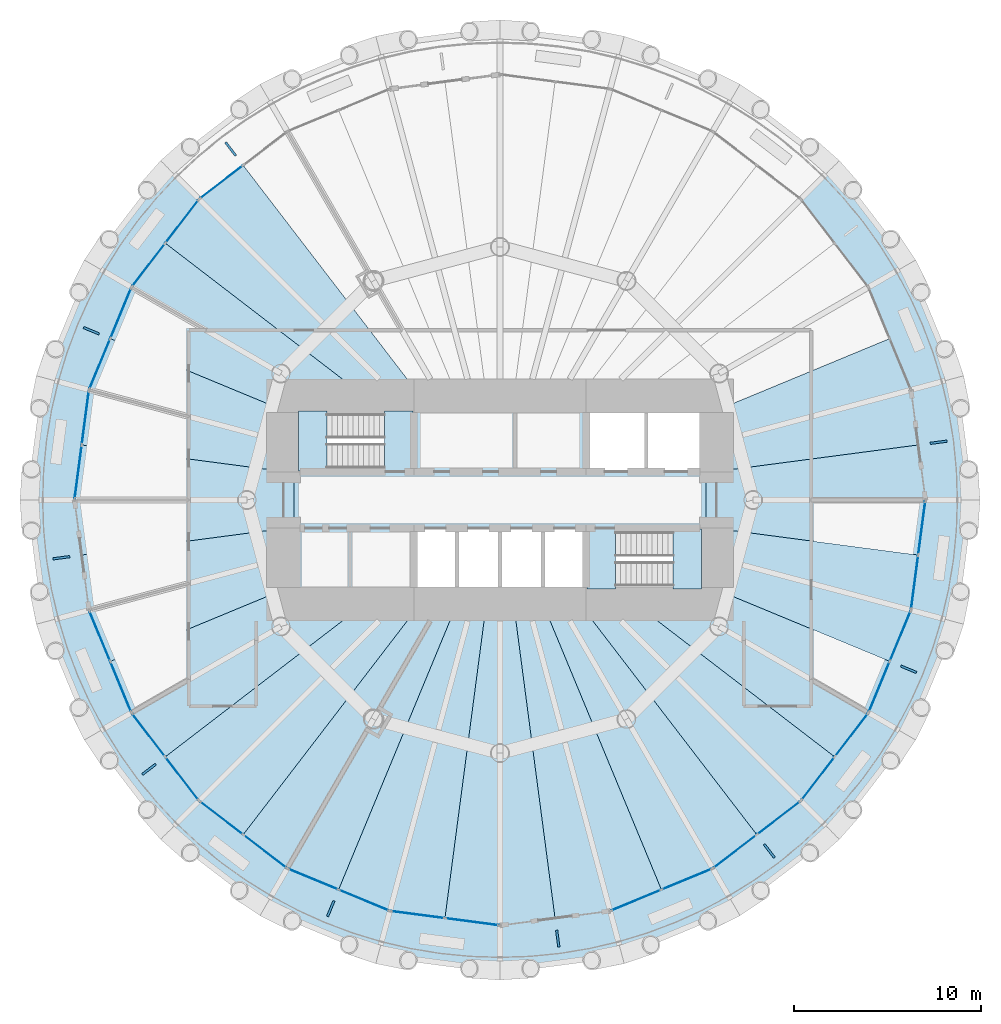
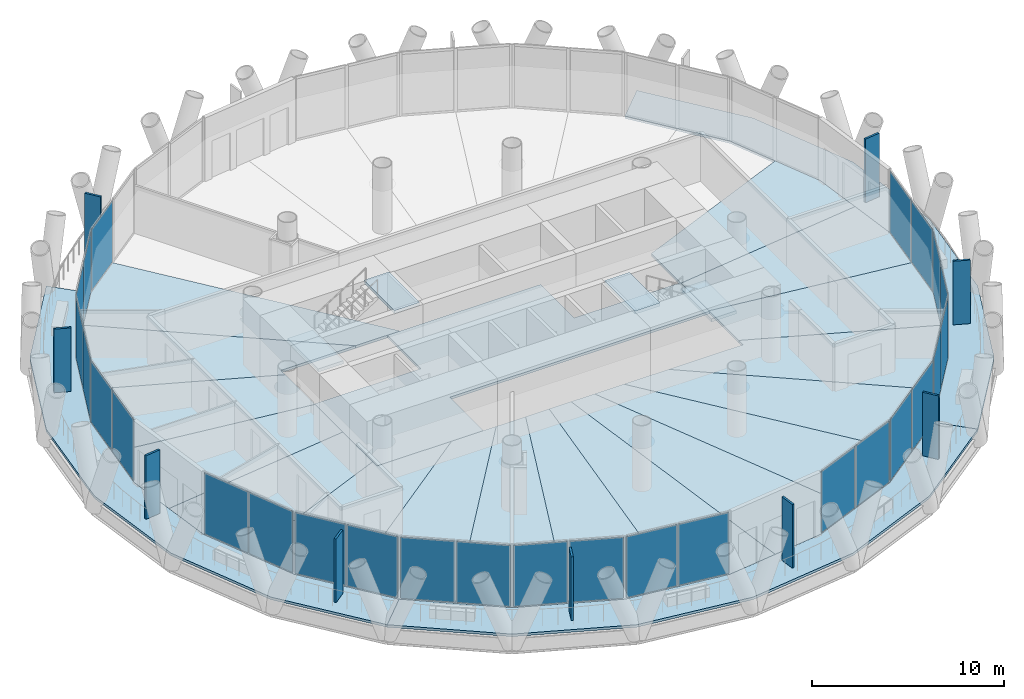
# One storey, part 7 of 14: 36 plates, 25 slabs, 16 elements without a shape of their own.
"""IFC4 building model written with IfcOpenShell, lengths in metres."""

from ifc_helpers import new_model, si_unit, direction, frame, origin, origin_2d, place, context, subcontext, project, spatial, polyline, rectangle, outline, extrude, material, layer, layer_set, type_object, element, aggregate, save


model = new_model("IFC4")

# Units and contexts
model_context = context("Model", 3, precision=1e-05, world=origin(), true_north=direction((0.0, 1.0)))
body_context = subcontext(model_context, "Body", "Model", "MODEL_VIEW")
ifc_project = project(units=[si_unit("LENGTHUNIT", "METRE"), si_unit("AREAUNIT", "SQUARE_METRE"), si_unit("VOLUMEUNIT", "CUBIC_METRE"), si_unit("PLANEANGLEUNIT", "RADIAN"), si_unit("MASSUNIT", "GRAM", prefix="KILO")], contexts=[model_context])

# Site, building, storey
site_placement = place(None, origin())
site = spatial("IfcSite", under=ifc_project, at=site_placement, CompositionType="ELEMENT")
building_placement = place(site_placement, origin())
building = spatial("IfcBuilding", under=site, at=building_placement, Name="Qaws Media Tower", CompositionType="ELEMENT")
storey_placement = place(building_placement, frame((0.0, 0.0, 126.800048828125)))
storey = spatial("IfcBuildingStorey", under=building, at=storey_placement, Name="L28", CompositionType="ELEMENT", Elevation=126.800048828125)

# Slabs
ifc_material_1 = material(Name="Concrete C35/45", Category="concrete")
ifc_layer_1 = layer(ifc_material_1, 0.159912109375)
ifc_layer_set_1 = layer_set([ifc_layer_1], Name="Composite balcony slab 160")
slab_type_1 = type_object("IfcSlabType", Name="Composite balcony slab 160", PredefinedType="FLOOR", material=ifc_layer_set_1)
slab_1_placement = place(storey_placement, frame((0.0, 0.0, -0.16015625)))
element("IfcSlab", 1, at=slab_1_placement, inside=storey, type_object=slab_type_1, Name="S2 balcony slab L28 R10 to R16, movement joints on R10 and R16", PredefinedType="FLOOR", context=body_context, shape_type="SweptSolid", body=[
    extrude(outline(polyline([(38.2626953125, 37.449951171875), (35.75537109375, 43.503662109375), (34.89990234375, 50.0), (35.75537109375, 56.496337890625), (38.2626953125, 62.550048828125), (42.251708984375, 67.748291015625), (43.94873046875, 66.05126953125), (40.34130859375, 61.35009765625), (38.073486328125, 55.875244140625), (37.300048828125, 50.0), (38.073486328125, 44.124755859375), (40.34130859375, 38.64990234375), (43.94873046875, 33.94873046875), (42.251708984375, 32.251708984375), (38.2626953125, 37.449951171875)])), origin(), (0.0, 0.0, 1.0), 0.16015625),
])
slab_2_placement = place(storey_placement, frame((0.0, 0.0, -0.16015625)))
element("IfcSlab", 2, at=slab_2_placement, inside=storey, type_object=slab_type_1, Name="S2 balcony slab L28 R16 to R22, movement joints on R16 and R22", PredefinedType="FLOOR", context=body_context, shape_type="SweptSolid", body=[
    extrude(outline(polyline([(72.550048828125, 28.2626953125), (66.496337890625, 25.75537109375), (60.0, 24.89990234375), (53.503662109375, 25.75537109375), (47.449951171875, 28.2626953125), (42.251708984375, 32.251708984375), (43.94873046875, 33.94873046875), (48.64990234375, 30.34130859375), (54.124755859375, 28.073486328125), (60.0, 27.300048828125), (65.875244140625, 28.073486328125), (71.35009765625, 30.34130859375), (76.05126953125, 33.94873046875), (77.748291015625, 32.251708984375), (72.550048828125, 28.2626953125)])), origin(), (0.0, 0.0, 1.0), 0.16015625),
])
slab_3_placement = place(storey_placement, frame((0.0, 0.0, -0.16015625)))
element("IfcSlab", 3, at=slab_3_placement, inside=storey, type_object=slab_type_1, Name="S2 balcony slab L28 R22 to R04, movement joints on R22 and R04", PredefinedType="FLOOR", context=body_context, shape_type="SweptSolid", body=[
    extrude(outline(polyline([(81.7373046875, 37.449951171875), (77.748291015625, 32.251708984375), (76.05126953125, 33.94873046875), (79.65869140625, 38.64990234375), (81.926513671875, 44.124755859375), (82.699951171875, 50.0), (81.926513671875, 55.875244140625), (79.65869140625, 61.35009765625), (76.05126953125, 66.05126953125), (77.748291015625, 67.748291015625), (81.7373046875, 62.550048828125), (84.24462890625, 56.496337890625), (85.10009765625, 50.0), (84.24462890625, 43.503662109375), (81.7373046875, 37.449951171875)])), origin(), (0.0, 0.0, 1.0), 0.16015625),
])
ifc_material_2 = material(Name="Concrete C35/45", Category="concrete")
ifc_layer_2 = layer(ifc_material_2, 0.159912109375)
ifc_layer_set_2 = layer_set([ifc_layer_2], Name="Composite floor slab 160")
slab_type_2 = type_object("IfcSlabType", Name="Composite floor slab 160", PredefinedType="FLOOR", material=ifc_layer_set_2)
slab_4_placement = place(storey_placement, frame((0.0, 0.0, -0.16015625)))
element("IfcSlab", 4, at=slab_4_placement, inside=storey, type_object=slab_type_2, Name="S1 core floor slab L28", PredefinedType="FLOOR", context=body_context, shape_type="SweptSolid", body=[
    extrude(outline(polyline([(71.0, 51.5), (71.0, 48.5), (55.39990234375, 48.5), (55.39990234375, 45.0), (49.0, 45.0), (49.0, 51.5), (55.39990234375, 51.5), (55.39990234375, 55.0), (64.60009765625, 55.0), (64.60009765625, 51.5), (71.0, 51.5)])), origin(), (0.0, 0.0, 1.0), 0.16015625),
])
slab_5_placement = place(storey_placement, frame((0.0, 0.0, -0.16015625)))
element("IfcSlab", 5, at=slab_5_placement, inside=storey, type_object=slab_type_2, Name="S1 floor panel L28 on R01", PredefinedType="FLOOR", context=body_context, shape_type="SweptSolid", body=[
    extrude(outline(polyline([(82.699951171875, 50.0), (82.313232421875, 47.0625), (71.0, 48.5517578125), (71.0, 51.4482421875), (82.313232421875, 52.9375), (82.699951171875, 50.0)])), origin(), (0.0, 0.0, 1.0), 0.16015625),
])
slab_6_placement = place(storey_placement, frame((0.0, 0.0, -0.16015625)))
element("IfcSlab", 6, at=slab_6_placement, inside=storey, type_object=slab_type_2, Name="S1 floor panel L28 on R02", PredefinedType="FLOOR", context=body_context, shape_type="SweptSolid", body=[
    extrude(outline(polyline([(81.926513671875, 55.875244140625), (82.313232421875, 52.9375), (71.0, 51.4482421875), (71.0, 54.556396484375), (80.79248046875, 58.612548828125), (81.926513671875, 55.875244140625)])), origin(), (0.0, 0.0, 1.0), 0.16015625),
])
slab_7_placement = place(storey_placement, frame((0.0, 0.0, -0.16015625)))
element("IfcSlab", 7, at=slab_7_placement, inside=storey, type_object=slab_type_2, Name="S1 floor panel L28 on R10", PredefinedType="FLOOR", context=body_context, shape_type="SweptSolid", body=[
    extrude(outline(polyline([(43.94873046875, 66.05126953125), (46.29931640625, 67.85498046875), (56.163330078125, 55.0), (53.48388671875, 55.0), (42.14501953125, 63.70068359375), (43.94873046875, 66.05126953125)])), origin(), (0.0, 0.0, 1.0), 0.16015625),
])
slab_8_placement = place(storey_placement, frame((0.0, 0.0, -0.16015625)))
element("IfcSlab", 8, at=slab_8_placement, inside=storey, type_object=slab_type_2, Name="S1 floor panel L28 on R11", PredefinedType="FLOOR", context=body_context, shape_type="SweptSolid", body=[
    extrude(outline(polyline([(40.34130859375, 61.35009765625), (42.14501953125, 63.70068359375), (53.48388671875, 55.0), (49.0, 55.0), (49.0, 54.556396484375), (39.20751953125, 58.612548828125), (40.34130859375, 61.35009765625)])), origin(), (0.0, 0.0, 1.0), 0.16015625),
])
slab_9_placement = place(storey_placement, frame((0.0, 0.0, -0.16015625)))
element("IfcSlab", 9, at=slab_9_placement, inside=storey, type_object=slab_type_2, Name="S1 floor panel L28 on R12", PredefinedType="FLOOR", context=body_context, shape_type="SweptSolid", body=[
    extrude(outline(polyline([(38.073486328125, 55.875244140625), (39.20751953125, 58.612548828125), (49.0, 54.556396484375), (49.0, 51.4482421875), (37.686767578125, 52.9375), (38.073486328125, 55.875244140625)])), origin(), (0.0, 0.0, 1.0), 0.16015625),
])
slab_10_placement = place(storey_placement, frame((0.0, 0.0, -0.16015625)))
element("IfcSlab", 10, at=slab_10_placement, inside=storey, type_object=slab_type_2, Name="S1 floor panel L28 on R13", PredefinedType="FLOOR", context=body_context, shape_type="SweptSolid", body=[
    extrude(outline(polyline([(37.300048828125, 50.0), (37.686767578125, 52.9375), (49.0, 51.4482421875), (49.0, 48.5517578125), (37.686767578125, 47.0625), (37.300048828125, 50.0)])), origin(), (0.0, 0.0, 1.0), 0.16015625),
])
slab_11_placement = place(storey_placement, frame((0.0, 0.0, -0.16015625)))
element("IfcSlab", 11, at=slab_11_placement, inside=storey, type_object=slab_type_2, Name="S1 floor panel L28 on R14", PredefinedType="FLOOR", context=body_context, shape_type="SweptSolid", body=[
    extrude(outline(polyline([(38.073486328125, 44.124755859375), (37.686767578125, 47.0625), (49.0, 48.5517578125), (49.0, 45.443603515625), (39.20751953125, 41.387451171875), (38.073486328125, 44.124755859375)])), origin(), (0.0, 0.0, 1.0), 0.16015625),
])
slab_12_placement = place(storey_placement, frame((0.0, 0.0, -0.16015625)))
element("IfcSlab", 12, at=slab_12_placement, inside=storey, type_object=slab_type_2, Name="S1 floor panel L28 on R15", PredefinedType="FLOOR", context=body_context, shape_type="SweptSolid", body=[
    extrude(outline(polyline([(40.34130859375, 38.64990234375), (39.20751953125, 41.387451171875), (49.0, 45.443603515625), (49.0, 45.0), (53.48388671875, 45.0), (42.14501953125, 36.29931640625), (40.34130859375, 38.64990234375)])), origin(), (0.0, 0.0, 1.0), 0.16015625),
])
slab_13_placement = place(storey_placement, frame((0.0, 0.0, -0.16015625)))
element("IfcSlab", 13, at=slab_13_placement, inside=storey, type_object=slab_type_2, Name="S1 floor panel L28 on R16", PredefinedType="FLOOR", context=body_context, shape_type="SweptSolid", body=[
    extrude(outline(polyline([(43.94873046875, 33.94873046875), (42.14501953125, 36.29931640625), (53.48388671875, 45.0), (56.163330078125, 45.0), (46.29931640625, 32.14501953125), (43.94873046875, 33.94873046875)])), origin(), (0.0, 0.0, 1.0), 0.16015625),
])
slab_14_placement = place(storey_placement, frame((0.0, 0.0, -0.16015625)))
element("IfcSlab", 14, at=slab_14_placement, inside=storey, type_object=slab_type_2, Name="S1 floor panel L28 on R17", PredefinedType="FLOOR", context=body_context, shape_type="SweptSolid", body=[
    extrude(outline(polyline([(48.64990234375, 30.34130859375), (46.29931640625, 32.14501953125), (56.163330078125, 45.0), (57.928955078125, 45.0), (51.387451171875, 29.20751953125), (48.64990234375, 30.34130859375)])), origin(), (0.0, 0.0, 1.0), 0.16015625),
])
slab_15_placement = place(storey_placement, frame((0.0, 0.0, -0.16015625)))
element("IfcSlab", 15, at=slab_15_placement, inside=storey, type_object=slab_type_2, Name="S1 floor panel L28 on R18", PredefinedType="FLOOR", context=body_context, shape_type="SweptSolid", body=[
    extrude(outline(polyline([(54.124755859375, 28.073486328125), (51.387451171875, 29.20751953125), (57.928955078125, 45.0), (59.341796875, 45.0), (57.0625, 27.686767578125), (54.124755859375, 28.073486328125)])), origin(), (0.0, 0.0, 1.0), 0.16015625),
])
slab_16_placement = place(storey_placement, frame((0.0, 0.0, -0.16015625)))
element("IfcSlab", 16, at=slab_16_placement, inside=storey, type_object=slab_type_2, Name="S1 floor panel L28 on R19", PredefinedType="FLOOR", context=body_context, shape_type="SweptSolid", body=[
    extrude(outline(polyline([(60.0, 27.300048828125), (57.0625, 27.686767578125), (59.341796875, 45.0), (60.658203125, 45.0), (62.9375, 27.686767578125), (60.0, 27.300048828125)])), origin(), (0.0, 0.0, 1.0), 0.16015625),
])
slab_17_placement = place(storey_placement, frame((0.0, 0.0, -0.16015625)))
element("IfcSlab", 17, at=slab_17_placement, inside=storey, type_object=slab_type_2, Name="S1 floor panel L28 on R20", PredefinedType="FLOOR", context=body_context, shape_type="SweptSolid", body=[
    extrude(outline(polyline([(65.875244140625, 28.073486328125), (62.9375, 27.686767578125), (60.658203125, 45.0), (62.071044921875, 45.0), (68.612548828125, 29.20751953125), (65.875244140625, 28.073486328125)])), origin(), (0.0, 0.0, 1.0), 0.16015625),
])
slab_18_placement = place(storey_placement, frame((0.0, 0.0, -0.16015625)))
element("IfcSlab", 18, at=slab_18_placement, inside=storey, type_object=slab_type_2, Name="S1 floor panel L28 on R21", PredefinedType="FLOOR", context=body_context, shape_type="SweptSolid", body=[
    extrude(outline(polyline([(71.35009765625, 30.34130859375), (68.612548828125, 29.20751953125), (62.071044921875, 45.0), (63.836669921875, 45.0), (73.70068359375, 32.14501953125), (71.35009765625, 30.34130859375)])), origin(), (0.0, 0.0, 1.0), 0.16015625),
])
slab_19_placement = place(storey_placement, frame((0.0, 0.0, -0.16015625)))
element("IfcSlab", 19, at=slab_19_placement, inside=storey, type_object=slab_type_2, Name="S1 floor panel L28 on R22", PredefinedType="FLOOR", context=body_context, shape_type="SweptSolid", body=[
    extrude(outline(polyline([(76.05126953125, 33.94873046875), (73.70068359375, 32.14501953125), (63.836669921875, 45.0), (66.51611328125, 45.0), (77.85498046875, 36.29931640625), (76.05126953125, 33.94873046875)])), origin(), (0.0, 0.0, 1.0), 0.16015625),
])
slab_20_placement = place(storey_placement, frame((0.0, 0.0, -0.16015625)))
element("IfcSlab", 20, at=slab_20_placement, inside=storey, type_object=slab_type_2, Name="S1 floor panel L28 on R23", PredefinedType="FLOOR", context=body_context, shape_type="SweptSolid", body=[
    extrude(outline(polyline([(79.65869140625, 38.64990234375), (77.85498046875, 36.29931640625), (66.51611328125, 45.0), (71.0, 45.0), (71.0, 45.443603515625), (80.79248046875, 41.387451171875), (79.65869140625, 38.64990234375)])), origin(), (0.0, 0.0, 1.0), 0.16015625),
])
slab_21_placement = place(storey_placement, frame((0.0, 0.0, -0.16015625)))
element("IfcSlab", 21, at=slab_21_placement, inside=storey, type_object=slab_type_2, Name="S1 floor panel L28 on R24", PredefinedType="FLOOR", context=body_context, shape_type="SweptSolid", body=[
    extrude(outline(polyline([(80.79248046875, 41.387451171875), (71.0, 45.443603515625), (71.0, 48.5517578125), (82.313232421875, 47.0625), (81.926513671875, 44.124755859375), (80.79248046875, 41.387451171875)])), origin(), (0.0, 0.0, 1.0), 0.16015625),
])

# Curtain wall, plate
ifc_material_3 = material(Name="Aluminium and clear glass", Category="aluminium")
curtain_wall_type = type_object("IfcCurtainWallType", Name="Unitised curtain wall CW-B", PredefinedType="NOTDEFINED", material=ifc_material_3)
curtain_wall_1_placement = place(storey_placement, origin())
curtain_wall_1 = element("IfcCurtainWall", 22, at=curtain_wall_1_placement, inside=storey, type_object=curtain_wall_type, Name="CWB curtain wall L28-09", PredefinedType="NOTDEFINED")
ifc_material_4 = material(Name="Clear laminated double glazing", Category="glass")
ifc_layer_3 = layer(ifc_material_4, 0.031982421875)
ifc_layer_set_3 = layer_set([ifc_layer_3], Name="Curtain wall glass unit 32")
plate_type_1 = type_object("IfcPlateType", Name="Curtain wall glass unit 32", PredefinedType="CURTAIN_PANEL", material=ifc_layer_set_3)
plate_1_placement = place(storey_placement, frame((45.139892578125, 66.96533203125, 0.080078125), z_axis=(0.0, 0.0, 1.0), x_axis=(-0.793353322718, -0.608761451911, 0.0)))
plate_1 = element("IfcPlate", 23, at=plate_1_placement, type_object=plate_type_1, Name="CWB panel 2.1", PredefinedType="CURTAIN_PANEL", context=body_context, shape_type="SweptSolid", body=[
    extrude(rectangle(XDim=2.843017578125, YDim=0.031982421875, at=origin_2d()), origin(), (0.0, 0.0, 1.0), 3.8798828125),
])
aggregate(curtain_wall_1, [plate_1])

# Curtain wall, plates
curtain_wall_2_placement = place(storey_placement, origin())
curtain_wall_2 = element("IfcCurtainWall", 24, at=curtain_wall_2_placement, inside=storey, type_object=curtain_wall_type, Name="CWB curtain wall L28-10", PredefinedType="NOTDEFINED")
plate_2_placement = place(storey_placement, frame((43.03466796875, 64.860107421875, 0.080078125), z_axis=(0.0, 0.0, 1.0), x_axis=(-0.608761451911, -0.793353322718, 0.0)))
plate_2 = element("IfcPlate", 25, at=plate_2_placement, type_object=plate_type_1, Name="CWB panel 1.1", PredefinedType="CURTAIN_PANEL", context=body_context, shape_type="SweptSolid", body=[
    extrude(rectangle(XDim=2.843017578125, YDim=0.031982421875, at=origin_2d()), origin(), (0.0, 0.0, 1.0), 3.8798828125),
])
plate_3_placement = place(storey_placement, frame((41.25537109375, 62.541259765625, 0.080078125), z_axis=(0.0, 0.0, 1.0), x_axis=(-0.608761451911, -0.793353322718, 0.0)))
plate_3 = element("IfcPlate", 26, at=plate_3_placement, type_object=plate_type_1, Name="CWB panel 2.1", PredefinedType="CURTAIN_PANEL", context=body_context, shape_type="SweptSolid", body=[
    extrude(rectangle(XDim=2.843017578125, YDim=0.031982421875, at=origin_2d()), origin(), (0.0, 0.0, 1.0), 3.8798828125),
])
aggregate(curtain_wall_2, [plate_2, plate_3])

curtain_wall_3_placement = place(storey_placement, origin())
curtain_wall_3 = element("IfcCurtainWall", 27, at=curtain_wall_3_placement, inside=storey, type_object=curtain_wall_type, Name="CWB curtain wall L28-11", PredefinedType="NOTDEFINED")
plate_4_placement = place(storey_placement, frame((39.7666015625, 59.962890625, 0.080078125), z_axis=(0.0, 0.0, 1.0), x_axis=(-0.382683327941, -0.923879575765, 0.0)))
plate_4 = element("IfcPlate", 28, at=plate_4_placement, type_object=plate_type_1, Name="CWB panel 1.1", PredefinedType="CURTAIN_PANEL", context=body_context, shape_type="SweptSolid", body=[
    extrude(rectangle(XDim=2.843017578125, YDim=0.031982421875, at=origin_2d()), origin(), (0.0, 0.0, 1.0), 3.8798828125),
])
plate_5_placement = place(storey_placement, frame((38.648193359375, 57.262451171875, 0.080078125), z_axis=(0.0, 0.0, 1.0), x_axis=(-0.382683327941, -0.923879575765, 0.0)))
plate_5 = element("IfcPlate", 29, at=plate_5_placement, type_object=plate_type_1, Name="CWB panel 2.1", PredefinedType="CURTAIN_PANEL", context=body_context, shape_type="SweptSolid", body=[
    extrude(rectangle(XDim=2.843017578125, YDim=0.031982421875, at=origin_2d()), origin(), (0.0, 0.0, 1.0), 3.8798828125),
])
aggregate(curtain_wall_3, [plate_4, plate_5])

curtain_wall_4_placement = place(storey_placement, origin())
curtain_wall_4 = element("IfcCurtainWall", 30, at=curtain_wall_4_placement, inside=storey, type_object=curtain_wall_type, Name="CWB curtain wall L28-12", PredefinedType="NOTDEFINED")
plate_6_placement = place(storey_placement, frame((37.87744140625, 54.386474609375, 0.080078125), z_axis=(0.0, 0.0, 1.0), x_axis=(-0.130526241882, -0.991444854836, 0.0)))
plate_6 = element("IfcPlate", 31, at=plate_6_placement, type_object=plate_type_1, Name="CWB panel 1.1", PredefinedType="CURTAIN_PANEL", context=body_context, shape_type="SweptSolid", body=[
    extrude(rectangle(XDim=2.843017578125, YDim=0.031982421875, at=origin_2d()), origin(), (0.0, 0.0, 1.0), 3.8798828125),
])
plate_7_placement = place(storey_placement, frame((37.49609375, 51.488525390625, 0.080078125), z_axis=(0.0, 0.0, 1.0), x_axis=(-0.130526241882, -0.991444854836, 0.0)))
plate_7 = element("IfcPlate", 32, at=plate_7_placement, type_object=plate_type_1, Name="CWB panel 2.1", PredefinedType="CURTAIN_PANEL", context=body_context, shape_type="SweptSolid", body=[
    extrude(rectangle(XDim=2.843017578125, YDim=0.031982421875, at=origin_2d()), origin(), (0.0, 0.0, 1.0), 3.8798828125),
])
aggregate(curtain_wall_4, [plate_6, plate_7])

curtain_wall_5_placement = place(storey_placement, origin())
curtain_wall_5 = element("IfcCurtainWall", 33, at=curtain_wall_5_placement, inside=storey, type_object=curtain_wall_type, Name="CWB curtain wall L28-14", PredefinedType="NOTDEFINED")
plate_8_placement = place(storey_placement, frame((38.648193359375, 42.737548828125, 0.080078125), z_axis=(0.0, 0.0, 1.0), x_axis=(0.382683327941, -0.923879575765, 0.0)))
plate_8 = element("IfcPlate", 34, at=plate_8_placement, type_object=plate_type_1, Name="CWB panel 1.1", PredefinedType="CURTAIN_PANEL", context=body_context, shape_type="SweptSolid", body=[
    extrude(rectangle(XDim=2.843017578125, YDim=0.031982421875, at=origin_2d()), origin(), (0.0, 0.0, 1.0), 3.8798828125),
])
plate_9_placement = place(storey_placement, frame((39.7666015625, 40.037109375, 0.080078125), z_axis=(0.0, 0.0, 1.0), x_axis=(0.382683327941, -0.923879575765, 0.0)))
plate_9 = element("IfcPlate", 35, at=plate_9_placement, type_object=plate_type_1, Name="CWB panel 2.1", PredefinedType="CURTAIN_PANEL", context=body_context, shape_type="SweptSolid", body=[
    extrude(rectangle(XDim=2.843017578125, YDim=0.031982421875, at=origin_2d()), origin(), (0.0, 0.0, 1.0), 3.8798828125),
])
aggregate(curtain_wall_5, [plate_8, plate_9])

curtain_wall_6_placement = place(storey_placement, origin())
curtain_wall_6 = element("IfcCurtainWall", 36, at=curtain_wall_6_placement, inside=storey, type_object=curtain_wall_type, Name="CWB curtain wall L28-15", PredefinedType="NOTDEFINED")
plate_10_placement = place(storey_placement, frame((41.25537109375, 37.458740234375, 0.080078125), z_axis=(0.0, 0.0, 1.0), x_axis=(0.608761451911, -0.793353322718, 0.0)))
plate_10 = element("IfcPlate", 37, at=plate_10_placement, type_object=plate_type_1, Name="CWB panel 1.1", PredefinedType="CURTAIN_PANEL", context=body_context, shape_type="SweptSolid", body=[
    extrude(rectangle(XDim=2.843017578125, YDim=0.031982421875, at=origin_2d()), origin(), (0.0, 0.0, 1.0), 3.8798828125),
])
plate_11_placement = place(storey_placement, frame((43.03466796875, 35.139892578125, 0.080078125), z_axis=(0.0, 0.0, 1.0), x_axis=(0.608761451911, -0.793353322718, 0.0)))
plate_11 = element("IfcPlate", 38, at=plate_11_placement, type_object=plate_type_1, Name="CWB panel 2.1", PredefinedType="CURTAIN_PANEL", context=body_context, shape_type="SweptSolid", body=[
    extrude(rectangle(XDim=2.843017578125, YDim=0.031982421875, at=origin_2d()), origin(), (0.0, 0.0, 1.0), 3.8798828125),
])
aggregate(curtain_wall_6, [plate_10, plate_11])

curtain_wall_7_placement = place(storey_placement, origin())
curtain_wall_7 = element("IfcCurtainWall", 39, at=curtain_wall_7_placement, inside=storey, type_object=curtain_wall_type, Name="CWB curtain wall L28-16", PredefinedType="NOTDEFINED")
plate_12_placement = place(storey_placement, frame((45.139892578125, 33.03466796875, 0.080078125), z_axis=(0.0, 0.0, 1.0), x_axis=(0.793353322718, -0.608761451911, 0.0)))
plate_12 = element("IfcPlate", 40, at=plate_12_placement, type_object=plate_type_1, Name="CWB panel 1.1", PredefinedType="CURTAIN_PANEL", context=body_context, shape_type="SweptSolid", body=[
    extrude(rectangle(XDim=2.843017578125, YDim=0.031982421875, at=origin_2d()), origin(), (0.0, 0.0, 1.0), 3.8798828125),
])
plate_13_placement = place(storey_placement, frame((47.458740234375, 31.25537109375, 0.080078125), z_axis=(0.0, 0.0, 1.0), x_axis=(0.793353322718, -0.608761451911, 0.0)))
plate_13 = element("IfcPlate", 41, at=plate_13_placement, type_object=plate_type_1, Name="CWB panel 2.1", PredefinedType="CURTAIN_PANEL", context=body_context, shape_type="SweptSolid", body=[
    extrude(rectangle(XDim=2.843017578125, YDim=0.031982421875, at=origin_2d()), origin(), (0.0, 0.0, 1.0), 3.8798828125),
])
aggregate(curtain_wall_7, [plate_12, plate_13])

curtain_wall_8_placement = place(storey_placement, origin())
curtain_wall_8 = element("IfcCurtainWall", 42, at=curtain_wall_8_placement, inside=storey, type_object=curtain_wall_type, Name="CWB curtain wall L28-17", PredefinedType="NOTDEFINED")
plate_14_placement = place(storey_placement, frame((50.037109375, 29.7666015625, 0.080078125), z_axis=(0.0, 0.0, 1.0), x_axis=(0.923879575765, -0.382683327941, 0.0)))
plate_14 = element("IfcPlate", 43, at=plate_14_placement, type_object=plate_type_1, Name="CWB panel 1.1", PredefinedType="CURTAIN_PANEL", context=body_context, shape_type="SweptSolid", body=[
    extrude(rectangle(XDim=2.843017578125, YDim=0.031982421875, at=origin_2d()), origin(), (0.0, 0.0, 1.0), 3.8798828125),
])
plate_15_placement = place(storey_placement, frame((52.737548828125, 28.648193359375, 0.080078125), z_axis=(0.0, 0.0, 1.0), x_axis=(0.923879575765, -0.382683327941, 0.0)))
plate_15 = element("IfcPlate", 44, at=plate_15_placement, type_object=plate_type_1, Name="CWB panel 2.1", PredefinedType="CURTAIN_PANEL", context=body_context, shape_type="SweptSolid", body=[
    extrude(rectangle(XDim=2.843017578125, YDim=0.031982421875, at=origin_2d()), origin(), (0.0, 0.0, 1.0), 3.8798828125),
])
aggregate(curtain_wall_8, [plate_14, plate_15])

curtain_wall_9_placement = place(storey_placement, origin())
curtain_wall_9 = element("IfcCurtainWall", 45, at=curtain_wall_9_placement, inside=storey, type_object=curtain_wall_type, Name="CWB curtain wall L28-18", PredefinedType="NOTDEFINED")
plate_16_placement = place(storey_placement, frame((55.613525390625, 27.87744140625, 0.080078125), z_axis=(0.0, 0.0, 1.0), x_axis=(0.991444854836, -0.130526241882, 0.0)))
plate_16 = element("IfcPlate", 46, at=plate_16_placement, type_object=plate_type_1, Name="CWB panel 1.1", PredefinedType="CURTAIN_PANEL", context=body_context, shape_type="SweptSolid", body=[
    extrude(rectangle(XDim=2.843017578125, YDim=0.031982421875, at=origin_2d()), origin(), (0.0, 0.0, 1.0), 3.8798828125),
])
plate_17_placement = place(storey_placement, frame((58.511474609375, 27.49609375, 0.080078125), z_axis=(0.0, 0.0, 1.0), x_axis=(0.991444854836, -0.130526241882, 0.0)))
plate_17 = element("IfcPlate", 47, at=plate_17_placement, type_object=plate_type_1, Name="CWB panel 2.1", PredefinedType="CURTAIN_PANEL", context=body_context, shape_type="SweptSolid", body=[
    extrude(rectangle(XDim=2.843017578125, YDim=0.031982421875, at=origin_2d()), origin(), (0.0, 0.0, 1.0), 3.8798828125),
])
aggregate(curtain_wall_9, [plate_16, plate_17])

curtain_wall_10_placement = place(storey_placement, origin())
curtain_wall_10 = element("IfcCurtainWall", 48, at=curtain_wall_10_placement, inside=storey, type_object=curtain_wall_type, Name="CWB curtain wall L28-20", PredefinedType="NOTDEFINED")
plate_18_placement = place(storey_placement, frame((67.262451171875, 28.648193359375, 0.080078125), z_axis=(0.0, 0.0, 1.0), x_axis=(0.923879575765, 0.382683327941, 0.0)))
plate_18 = element("IfcPlate", 49, at=plate_18_placement, type_object=plate_type_1, Name="CWB panel 1.1", PredefinedType="CURTAIN_PANEL", context=body_context, shape_type="SweptSolid", body=[
    extrude(rectangle(XDim=2.843017578125, YDim=0.031982421875, at=origin_2d()), origin(), (0.0, 0.0, 1.0), 3.8798828125),
])
plate_19_placement = place(storey_placement, frame((69.962890625, 29.7666015625, 0.080078125), z_axis=(0.0, 0.0, 1.0), x_axis=(0.923879575765, 0.382683327941, 0.0)))
plate_19 = element("IfcPlate", 50, at=plate_19_placement, type_object=plate_type_1, Name="CWB panel 2.1", PredefinedType="CURTAIN_PANEL", context=body_context, shape_type="SweptSolid", body=[
    extrude(rectangle(XDim=2.843017578125, YDim=0.031982421875, at=origin_2d()), origin(), (0.0, 0.0, 1.0), 3.8798828125),
])
aggregate(curtain_wall_10, [plate_18, plate_19])

curtain_wall_11_placement = place(storey_placement, origin())
curtain_wall_11 = element("IfcCurtainWall", 51, at=curtain_wall_11_placement, inside=storey, type_object=curtain_wall_type, Name="CWB curtain wall L28-21", PredefinedType="NOTDEFINED")
plate_20_placement = place(storey_placement, frame((72.541259765625, 31.25537109375, 0.080078125), z_axis=(0.0, 0.0, 1.0), x_axis=(0.793353322718, 0.608761451911, 0.0)))
plate_20 = element("IfcPlate", 52, at=plate_20_placement, type_object=plate_type_1, Name="CWB panel 1.1", PredefinedType="CURTAIN_PANEL", context=body_context, shape_type="SweptSolid", body=[
    extrude(rectangle(XDim=2.843017578125, YDim=0.031982421875, at=origin_2d()), origin(), (0.0, 0.0, 1.0), 3.8798828125),
])
plate_21_placement = place(storey_placement, frame((74.860107421875, 33.03466796875, 0.080078125), z_axis=(0.0, 0.0, 1.0), x_axis=(0.793353322718, 0.608761451911, 0.0)))
plate_21 = element("IfcPlate", 53, at=plate_21_placement, type_object=plate_type_1, Name="CWB panel 2.1", PredefinedType="CURTAIN_PANEL", context=body_context, shape_type="SweptSolid", body=[
    extrude(rectangle(XDim=2.843017578125, YDim=0.031982421875, at=origin_2d()), origin(), (0.0, 0.0, 1.0), 3.8798828125),
])
aggregate(curtain_wall_11, [plate_20, plate_21])

curtain_wall_12_placement = place(storey_placement, origin())
curtain_wall_12 = element("IfcCurtainWall", 54, at=curtain_wall_12_placement, inside=storey, type_object=curtain_wall_type, Name="CWB curtain wall L28-22", PredefinedType="NOTDEFINED")
plate_22_placement = place(storey_placement, frame((76.96533203125, 35.139892578125, 0.080078125), z_axis=(0.0, 0.0, 1.0), x_axis=(0.608761451911, 0.793353322718, 0.0)))
plate_22 = element("IfcPlate", 55, at=plate_22_placement, type_object=plate_type_1, Name="CWB panel 1.1", PredefinedType="CURTAIN_PANEL", context=body_context, shape_type="SweptSolid", body=[
    extrude(rectangle(XDim=2.843017578125, YDim=0.031982421875, at=origin_2d()), origin(), (0.0, 0.0, 1.0), 3.8798828125),
])
plate_23_placement = place(storey_placement, frame((78.74462890625, 37.458740234375, 0.080078125), z_axis=(0.0, 0.0, 1.0), x_axis=(0.608761451911, 0.793353322718, 0.0)))
plate_23 = element("IfcPlate", 56, at=plate_23_placement, type_object=plate_type_1, Name="CWB panel 2.1", PredefinedType="CURTAIN_PANEL", context=body_context, shape_type="SweptSolid", body=[
    extrude(rectangle(XDim=2.843017578125, YDim=0.031982421875, at=origin_2d()), origin(), (0.0, 0.0, 1.0), 3.8798828125),
])
aggregate(curtain_wall_12, [plate_22, plate_23])

curtain_wall_13_placement = place(storey_placement, origin())
curtain_wall_13 = element("IfcCurtainWall", 57, at=curtain_wall_13_placement, inside=storey, type_object=curtain_wall_type, Name="CWB curtain wall L28-23", PredefinedType="NOTDEFINED")
plate_24_placement = place(storey_placement, frame((80.2333984375, 40.037109375, 0.080078125), z_axis=(0.0, 0.0, 1.0), x_axis=(0.382683327941, 0.923879575765, 0.0)))
plate_24 = element("IfcPlate", 58, at=plate_24_placement, type_object=plate_type_1, Name="CWB panel 1.1", PredefinedType="CURTAIN_PANEL", context=body_context, shape_type="SweptSolid", body=[
    extrude(rectangle(XDim=2.843017578125, YDim=0.031982421875, at=origin_2d()), origin(), (0.0, 0.0, 1.0), 3.8798828125),
])
plate_25_placement = place(storey_placement, frame((81.351806640625, 42.737548828125, 0.080078125), z_axis=(0.0, 0.0, 1.0), x_axis=(0.382683327941, 0.923879575765, 0.0)))
plate_25 = element("IfcPlate", 59, at=plate_25_placement, type_object=plate_type_1, Name="CWB panel 2.1", PredefinedType="CURTAIN_PANEL", context=body_context, shape_type="SweptSolid", body=[
    extrude(rectangle(XDim=2.843017578125, YDim=0.031982421875, at=origin_2d()), origin(), (0.0, 0.0, 1.0), 3.8798828125),
])
aggregate(curtain_wall_13, [plate_24, plate_25])

curtain_wall_14_placement = place(storey_placement, origin())
curtain_wall_14 = element("IfcCurtainWall", 60, at=curtain_wall_14_placement, inside=storey, type_object=curtain_wall_type, Name="CWB curtain wall L28-24", PredefinedType="NOTDEFINED")
plate_26_placement = place(storey_placement, frame((82.12255859375, 45.613525390625, 0.080078125), z_axis=(0.0, 0.0, 1.0), x_axis=(0.130526241882, 0.991444854836, 0.0)))
plate_26 = element("IfcPlate", 61, at=plate_26_placement, type_object=plate_type_1, Name="CWB panel 1.1", PredefinedType="CURTAIN_PANEL", context=body_context, shape_type="SweptSolid", body=[
    extrude(rectangle(XDim=2.843017578125, YDim=0.031982421875, at=origin_2d()), origin(), (0.0, 0.0, 1.0), 3.8798828125),
])
plate_27_placement = place(storey_placement, frame((82.50390625, 48.511474609375, 0.080078125), z_axis=(0.0, 0.0, 1.0), x_axis=(0.130526241882, 0.991444854836, 0.0)))
plate_27 = element("IfcPlate", 62, at=plate_27_placement, type_object=plate_type_1, Name="CWB panel 2.1", PredefinedType="CURTAIN_PANEL", context=body_context, shape_type="SweptSolid", body=[
    extrude(rectangle(XDim=2.843017578125, YDim=0.031982421875, at=origin_2d()), origin(), (0.0, 0.0, 1.0), 3.8798828125),
])
aggregate(curtain_wall_14, [plate_26, plate_27])

# Plates
ifc_material_5 = material(Name="Precast concrete screen fin", Category="concrete")
ifc_layer_4 = layer(ifc_material_5, 0.1201171875)
ifc_layer_set_4 = layer_set([ifc_layer_4], Name="Screen fin 120x900")
plate_type_2 = type_object("IfcPlateType", Name="Screen fin 120x900", PredefinedType="USERDEFINED", material=ifc_layer_set_4)
for number, where, z_axis, x_axis, name in (
    (63, (83.398193359375, 53.080322265625, 0.0), (0.0, 0.0, 1.0), (0.991444861374, 0.13052619222, 0.0), "SCR1 screen fin L28-01"),
    (64, (45.63330078125, 68.72314453125, 0.0), (0.0, 0.0, 1.0), (-0.608761429009, 0.793353340291, 0.0), "SCR1 screen fin L28-05"),
    (65, (38.196533203125, 59.03125, 0.0), (0.0, 0.0, 1.0), (-0.923879532511, 0.382683432365, 0.0), "SCR1 screen fin L28-06"),
    (66, (36.601806640625, 46.919677734375, 0.0), (0.0, 0.0, 1.0), (-0.991444861374, -0.13052619222, 0.0), "SCR1 screen fin L28-07"),
    (67, (41.27685546875, 35.63330078125, 0.0), (0.0, 0.0, 1.0), (-0.793353340291, -0.608761429009, 0.0), "SCR1 screen fin L28-08"),
    (68, (50.96875, 28.196533203125, 0.0), (0.0, 0.0, 1.0), (-0.382683432365, -0.923879532511, 0.0), "SCR1 screen fin L28-09"),
    (69, (63.080322265625, 26.601806640625, 0.0), (0.0, 0.0, 1.0), (0.13052619222, -0.991444861374, 0.0), "SCR1 screen fin L28-10"),
    (70, (74.36669921875, 31.27685546875, 0.0), (0.0, 0.0, 1.0), (0.608761429009, -0.793353340291, 0.0), "SCR1 screen fin L28-11"),
    (71, (81.803466796875, 40.96875, 0.0), (0.0, 0.0, 1.0), (0.923879532511, -0.382683432365, 0.0), "SCR1 screen fin L28-12"),
):
    element("IfcPlate", number, at=place(storey_placement, frame(where, z_axis=z_axis, x_axis=x_axis)), inside=storey, type_object=plate_type_2, Name=name, ObjectType="SCREEN", PredefinedType="USERDEFINED", context=body_context, shape_type="SweptSolid", body=[
        extrude(rectangle(XDim=0.89990234375, YDim=0.1201171875, at=origin_2d()), origin(), (0.0, 0.0, 1.0), 4.0400390625),
    ])

# Stair, slabs
ifc_material_6 = material(Name="Concrete C40/50", Category="concrete")
stair_type = type_object("IfcStairType", Name="Exit stair", PredefinedType="HALF_TURN_STAIR", material=ifc_material_6)
stair_1_placement = place(storey_placement, origin())
stair_1 = element("IfcStair", 72, at=stair_1_placement, inside=storey, type_object=stair_type, Name="S1 exit stair L28", PredefinedType="HALF_TURN_STAIR")
ifc_material_7 = material(Name="Concrete C40/50", Category="concrete")
ifc_layer_5 = layer(ifc_material_7, 0.199951171875)
ifc_layer_set_5 = layer_set([ifc_layer_5], Name="Stair landing 200")
slab_type_3 = type_object("IfcSlabType", Name="Stair landing 200", PredefinedType="LANDING", material=ifc_layer_set_5)
slab_22_placement = place(storey_placement, frame((0.0, 0.0, 1.89990234375)))
slab_22 = element("IfcSlab", 73, at=slab_22_placement, type_object=slab_type_3, Name="S1 landing 1", PredefinedType="LANDING", context=body_context, shape_type="SweptSolid", body=[
    extrude(outline(polyline([(49.25, 51.550048828125), (50.760009765625, 51.550048828125), (50.760009765625, 54.75), (49.25, 54.75), (49.25, 51.550048828125)])), origin(), (0.0, 0.0, 1.0), 0.199951171875),
])
slab_23_placement = place(storey_placement, frame((0.0, 0.0, 4.0)))
slab_23 = element("IfcSlab", 74, at=slab_23_placement, type_object=slab_type_3, Name="S1 landing 2", PredefinedType="LANDING", context=body_context, shape_type="SweptSolid", body=[
    extrude(outline(polyline([(53.840087890625, 51.550048828125), (55.35009765625, 51.550048828125), (55.35009765625, 54.75), (53.840087890625, 54.75), (53.840087890625, 51.550048828125)])), origin(), (0.0, 0.0, 1.0), 0.199951171875),
])
aggregate(stair_1, [slab_22, slab_23])

stair_2_placement = place(storey_placement, origin())
stair_2 = element("IfcStair", 75, at=stair_2_placement, inside=storey, type_object=stair_type, Name="S2 exit stair L28", PredefinedType="HALF_TURN_STAIR")
slab_24_placement = place(storey_placement, frame((0.0, 0.0, 1.89990234375)))
slab_24 = element("IfcSlab", 76, at=slab_24_placement, type_object=slab_type_3, Name="S2 landing 1", PredefinedType="LANDING", context=body_context, shape_type="SweptSolid", body=[
    extrude(outline(polyline([(69.239990234375, 45.25), (70.75, 45.25), (70.75, 48.449951171875), (69.239990234375, 48.449951171875), (69.239990234375, 45.25)])), origin(), (0.0, 0.0, 1.0), 0.199951171875),
])
slab_25_placement = place(storey_placement, frame((0.0, 0.0, 4.0)))
slab_25 = element("IfcSlab", 77, at=slab_25_placement, type_object=slab_type_3, Name="S2 landing 2", PredefinedType="LANDING", context=body_context, shape_type="SweptSolid", body=[
    extrude(outline(polyline([(64.64990234375, 45.25), (66.159912109375, 45.25), (66.159912109375, 48.449951171875), (64.64990234375, 48.449951171875), (64.64990234375, 45.25)])), origin(), (0.0, 0.0, 1.0), 0.199951171875),
])
aggregate(stair_2, [slab_24, slab_25])

save(model, "model.ifc")
